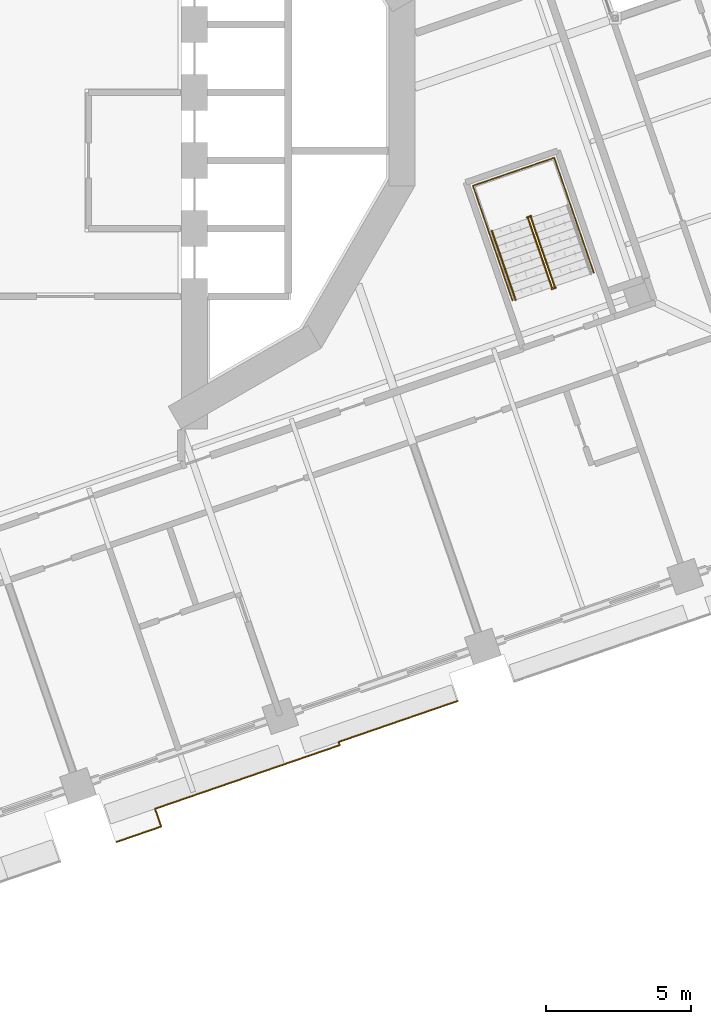
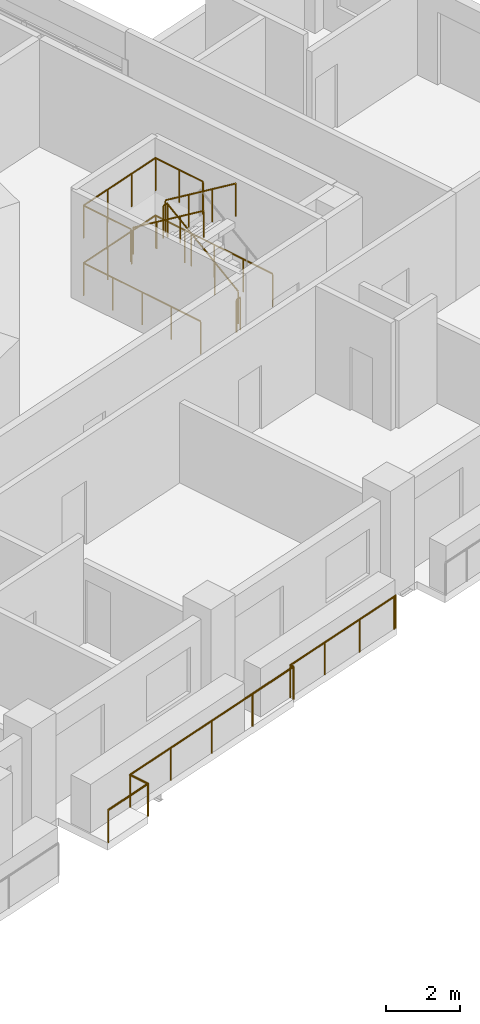
# One storey, part 16 of 19: 7 railings.
"""IFC4 building model written with IfcOpenShell, lengths in metres."""

from ifc_helpers import new_model, si_unit, direction, frame, origin, origin_2d, place, context, subcontext, project, spatial, circle, extrude, material, type_object, element, save


model = new_model("IFC4")

# Units and contexts
model_context = context("Model", 3, precision=1e-05, world=origin(), true_north=direction((0.0, 1.0)))
body_context = subcontext(model_context, "Body", "Model", "MODEL_VIEW")
ifc_project = project(units=[si_unit("LENGTHUNIT", "METRE"), si_unit("AREAUNIT", "SQUARE_METRE"), si_unit("VOLUMEUNIT", "CUBIC_METRE"), si_unit("PLANEANGLEUNIT", "RADIAN"), si_unit("MASSUNIT", "GRAM", prefix="KILO")], contexts=[model_context])

# Site, building, storey
site_placement = place(None, origin())
site = spatial("IfcSite", under=ifc_project, at=site_placement, CompositionType="ELEMENT")
building_placement = place(site_placement, origin())
building = spatial("IfcBuilding", under=site, at=building_placement, Name="Cantera Rosa Tower", CompositionType="ELEMENT")
storey_placement = place(building_placement, frame((0.0, 0.0, 126.89990234375)))
storey = spatial("IfcBuildingStorey", under=building, at=storey_placement, Name="L26", CompositionType="ELEMENT", Elevation=126.89990234375)

# Railings
ifc_material_1 = material(Name="Stainless steel and laminated glass", Category="steel")
railing_type_1 = type_object("IfcRailingType", Name="GUARD 1100", PredefinedType="BALUSTRADE", material=ifc_material_1)
railing_1_placement = place(storey_placement, frame((13.55615234375, -21.032470703125, 0.0)))
element("IfcRailing", 1, at=railing_1_placement, inside=storey, type_object=railing_type_1, Name="GUARD L26-8", PredefinedType="BALUSTRADE", context=body_context, shape_type="SweptSolid", body=[
    extrude(circle(Radius=0.030029296875, at=origin_2d()), frame((0.0, 0.0, 1.070068359375), z_axis=(-0.946220044844, -0.323523765333, 0.0), x_axis=(0.323523765333, -0.946220044844, 0.0)), (0.0, 0.0, 1.0), 0.070068359375),
    extrude(circle(Radius=0.030029296875, at=origin_2d()), frame((-0.06640625, -0.022705078125, 1.070068359375), z_axis=(-0.945512264962, -0.325586481301, 0.0), x_axis=(0.325586481301, -0.945512264962, 0.0)), (0.0, 0.0, 1.0), 4.28173828125),
    extrude(circle(Radius=0.030029296875, at=origin_2d()), frame((-4.11474609375, -1.416748046875, 1.070068359375), z_axis=(0.326117900523, -0.945329104047, 0.0), x_axis=(0.945329104047, 0.326117900523, 0.0)), (0.0, 0.0, 1.0), 0.1181640625),
    extrude(circle(Radius=0.030029296875, at=origin_2d()), frame((-4.076171875, -1.528564453125, 1.070068359375), z_axis=(-0.945519334272, -0.325565951103, 0.0), x_axis=(0.325565951103, -0.945519334272, 0.0)), (0.0, 0.0, 1.0), 6.749755859375),
    extrude(circle(Radius=0.030029296875, at=origin_2d()), frame((-10.458251953125, -3.72607421875, 1.070068359375), z_axis=(0.32578247151, -0.945444753149, 0.0), x_axis=(0.945444753149, 0.32578247151, 0.0)), (0.0, 0.0, 1.0), 0.650390625),
    extrude(circle(Radius=0.030029296875, at=origin_2d()), frame((-10.246337890625, -4.341064453125, 1.070068359375), z_axis=(-0.945523301181, -0.325554430047, 0.0), x_axis=(0.325554430047, -0.945523301181, 0.0)), (0.0, 0.0, 1.0), 1.638671875),
    extrude(circle(Radius=0.02490234375, at=origin_2d()), origin(), (0.0, 0.0, 1.0), 1.0400390625),
    extrude(circle(Radius=0.02490234375, at=origin_2d()), frame((-0.06640625, -0.022705078125, 0.0)), (0.0, 0.0, 1.0), 1.0400390625),
    extrude(circle(Radius=0.02490234375, at=origin_2d()), frame((-1.415771484375, -0.4873046875, 0.0)), (0.0, 0.0, 1.0), 1.0400390625),
    extrude(circle(Radius=0.02490234375, at=origin_2d()), frame((-2.765380859375, -0.9521484375, 0.0)), (0.0, 0.0, 1.0), 1.0400390625),
    extrude(circle(Radius=0.02490234375, at=origin_2d()), frame((-4.11474609375, -1.416748046875, 0.0)), (0.0, 0.0, 1.0), 1.0400390625),
    extrude(circle(Radius=0.02490234375, at=origin_2d()), frame((-4.076171875, -1.528564453125, 0.0)), (0.0, 0.0, 1.0), 1.0400390625),
    extrude(circle(Radius=0.02490234375, at=origin_2d()), frame((-5.671630859375, -2.077880859375, 0.0)), (0.0, 0.0, 1.0), 1.0400390625),
    extrude(circle(Radius=0.02490234375, at=origin_2d()), frame((-7.26708984375, -2.62744140625, 0.0)), (0.0, 0.0, 1.0), 1.0400390625),
    extrude(circle(Radius=0.02490234375, at=origin_2d()), frame((-8.86279296875, -3.1767578125, 0.0)), (0.0, 0.0, 1.0), 1.0400390625),
    extrude(circle(Radius=0.02490234375, at=origin_2d()), frame((-10.458251953125, -3.72607421875, 0.0)), (0.0, 0.0, 1.0), 1.0400390625),
    extrude(circle(Radius=0.02490234375, at=origin_2d()), frame((-10.246337890625, -4.341064453125, 0.0)), (0.0, 0.0, 1.0), 1.0400390625),
    extrude(circle(Radius=0.02490234375, at=origin_2d()), frame((-11.795654296875, -4.87451171875, 0.0)), (0.0, 0.0, 1.0), 1.0400390625),
])
ifc_material_2 = material(Name="Steel S355J2 (EN 10025-2)", Category="steel")
railing_type_2 = type_object("IfcRailingType", Name="STAIR GUARD 1100", PredefinedType="GUARDRAIL", material=ifc_material_2)
railing_2_placement = place(storey_placement, frame((16.902099609375, -6.707763671875, 0.190185546875)))
element("IfcRailing", 2, at=railing_2_placement, inside=storey, type_object=railing_type_2, Name="L26 ST-23 stair guard 1", PredefinedType="GUARDRAIL", context=body_context, shape_type="SweptSolid", body=[
    extrude(circle(Radius=0.02392578125, at=origin_2d()), frame((0.0, 0.0, 1.076171875), z_axis=(-0.269358070891, 0.782421063063, 0.561483312059), x_axis=(-0.945537585866, -0.325512939397, 0.0)), (0.0, 0.0, 1.0), 3.04541015625),
    extrude(circle(Radius=0.02392578125, at=origin_2d()), frame((-0.8203125, 2.3828125, 2.7861328125), z_axis=(0.147491890402, 0.989063265047, 0.0), x_axis=(-0.989063265047, 0.147491890402, 0.0)), (0.0, 0.0, 1.0), 0.056396484375),
    extrude(circle(Radius=0.02392578125, at=origin_2d()), frame((-0.81201171875, 2.4384765625, 2.7861328125), z_axis=(-0.945545797087, -0.325489086777, 0.0), x_axis=(0.325489086777, -0.945545797087, 0.0)), (0.0, 0.0, 1.0), 0.14990234375),
    extrude(circle(Radius=0.02099609375, at=origin_2d()), origin(), (0.0, 0.0, 1.0), 1.052001953125),
    extrude(circle(Radius=0.02099609375, at=origin_2d()), frame((-0.2734375, 0.794189453125, 0.570068359375)), (0.0, 0.0, 1.0), 1.052001953125),
    extrude(circle(Radius=0.02099609375, at=origin_2d()), frame((-0.546875, 1.588623046875, 1.139892578125)), (0.0, 0.0, 1.0), 1.052001953125),
    extrude(circle(Radius=0.02099609375, at=origin_2d()), frame((-0.8203125, 2.3828125, 1.7099609375)), (0.0, 0.0, 1.0), 1.052001953125),
    extrude(circle(Radius=0.02099609375, at=origin_2d()), frame((-0.81201171875, 2.4384765625, 1.7099609375)), (0.0, 0.0, 1.0), 1.052001953125),
    extrude(circle(Radius=0.02099609375, at=origin_2d()), frame((-0.953857421875, 2.3896484375, 1.7099609375)), (0.0, 0.0, 1.0), 1.052001953125),
])
railing_3_placement = place(storey_placement, frame((15.989013671875, -4.35693359375, 2.090087890625)))
element("IfcRailing", 3, at=railing_3_placement, inside=storey, type_object=railing_type_2, Name="L26 ST-23 stair guard 2", PredefinedType="GUARDRAIL", context=body_context, shape_type="SweptSolid", body=[
    extrude(circle(Radius=0.02392578125, at=origin_2d()), frame((0.0, 0.0, 1.076171875), z_axis=(0.269432418223, -0.782404165978, 0.561471186323), x_axis=(0.94550776501, 0.325599548996, 0.0)), (0.0, 0.0, 1.0), 3.04541015625),
    extrude(circle(Radius=0.02099609375, at=origin_2d()), origin(), (0.0, 0.0, 1.0), 1.052001953125),
    extrude(circle(Radius=0.02099609375, at=origin_2d()), frame((0.2734375, -0.794189453125, 0.570068359375)), (0.0, 0.0, 1.0), 1.052001953125),
    extrude(circle(Radius=0.02099609375, at=origin_2d()), frame((0.547119140625, -1.588623046875, 1.139892578125)), (0.0, 0.0, 1.0), 1.052001953125),
    extrude(circle(Radius=0.02099609375, at=origin_2d()), frame((0.820556640625, -2.3828125, 1.7099609375)), (0.0, 0.0, 1.0), 1.052001953125),
])
railing_4_placement = place(storey_placement, frame((16.94287109375, -6.74658203125, 0.0)))
element("IfcRailing", 4, at=railing_4_placement, inside=storey, type_object=railing_type_2, Name="L26 ST-23 stair guard 3", PredefinedType="GUARDRAIL", context=body_context, shape_type="SweptSolid", body=[
    extrude(circle(Radius=0.02392578125, at=origin_2d()), frame((0.0, 0.0, 1.076171875), z_axis=(-0.945372981626, -0.325990683319, 0.0), x_axis=(0.325990683319, -0.945372981626, 0.0)), (0.0, 0.0, 1.0), 0.14990234375),
    extrude(circle(Radius=0.02099609375, at=origin_2d()), origin(), (0.0, 0.0, 1.0), 1.052001953125),
    extrude(circle(Radius=0.02099609375, at=origin_2d()), frame((-0.1416015625, -0.048828125, 0.0)), (0.0, 0.0, 1.0), 1.052001953125),
])
railing_5_placement = place(storey_placement, frame((18.256103515625, -6.22900390625, 0.0)))
element("IfcRailing", 5, at=railing_5_placement, inside=storey, type_object=railing_type_2, Name="L26 ST-23 stair guard 4", PredefinedType="GUARDRAIL", context=body_context, shape_type="SweptSolid", body=[
    extrude(circle(Radius=0.02392578125, at=origin_2d()), frame((0.0, 0.0, 1.076171875), z_axis=(-0.3255981694, 0.945508240093, 0.0), x_axis=(-0.945508240093, -0.3255981694, 0.0)), (0.0, 0.0, 1.0), 4.1982421875),
    extrude(circle(Radius=0.02392578125, at=origin_2d()), frame((-1.366943359375, 3.969482421875, 1.076171875), z_axis=(-0.945504814226, -0.325608117645, 0.0), x_axis=(0.325608117645, -0.945504814226, 0.0)), (0.0, 0.0, 1.0), 2.969970703125),
    extrude(circle(Radius=0.02392578125, at=origin_2d()), frame((-4.175048828125, 3.00244140625, 1.076171875), z_axis=(0.325564081496, -0.945519978022, 0.0), x_axis=(0.945519978022, 0.325564081496, 0.0)), (0.0, 0.0, 1.0), 4.197998046875),
    extrude(circle(Radius=0.02099609375, at=origin_2d()), origin(), (0.0, 0.0, 1.0), 1.052001953125),
    extrude(circle(Radius=0.02099609375, at=origin_2d()), frame((-0.341796875, 0.992431640625, 0.0)), (0.0, 0.0, 1.0), 1.052001953125),
    extrude(circle(Radius=0.02099609375, at=origin_2d()), frame((-0.68359375, 1.98486328125, 0.0)), (0.0, 0.0, 1.0), 1.052001953125),
    extrude(circle(Radius=0.02099609375, at=origin_2d()), frame((-1.025146484375, 2.97705078125, 0.0)), (0.0, 0.0, 1.0), 1.052001953125),
    extrude(circle(Radius=0.02099609375, at=origin_2d()), frame((-1.366943359375, 3.969482421875, 0.0)), (0.0, 0.0, 1.0), 1.052001953125),
    extrude(circle(Radius=0.02099609375, at=origin_2d()), frame((-2.302978515625, 3.647216796875, 0.0)), (0.0, 0.0, 1.0), 1.052001953125),
    extrude(circle(Radius=0.02099609375, at=origin_2d()), frame((-3.239013671875, 3.32470703125, 0.0)), (0.0, 0.0, 1.0), 1.052001953125),
    extrude(circle(Radius=0.02099609375, at=origin_2d()), frame((-4.175048828125, 3.00244140625, 0.0)), (0.0, 0.0, 1.0), 1.052001953125),
    extrude(circle(Radius=0.02099609375, at=origin_2d()), frame((-3.83349609375, 2.01025390625, 0.0)), (0.0, 0.0, 1.0), 1.052001953125),
    extrude(circle(Radius=0.02099609375, at=origin_2d()), frame((-3.49169921875, 1.017822265625, 0.0)), (0.0, 0.0, 1.0), 1.052001953125),
    extrude(circle(Radius=0.02099609375, at=origin_2d()), frame((-3.14990234375, 0.025390625, 0.0)), (0.0, 0.0, 1.0), 1.052001953125),
    extrude(circle(Radius=0.02099609375, at=origin_2d()), frame((-2.808349609375, -0.966796875, 0.0)), (0.0, 0.0, 1.0), 1.052001953125),
])
railing_6_placement = place(storey_placement, frame((17.443359375, -3.868896484375, 1.900146484375)))
element("IfcRailing", 6, at=railing_6_placement, inside=storey, type_object=railing_type_2, Name="L26 ST-23 stair guard 5", PredefinedType="GUARDRAIL", context=body_context, shape_type="SweptSolid", body=[
    extrude(circle(Radius=0.02392578125, at=origin_2d()), frame((0.0, 0.0, 1.076171875), z_axis=(-0.32559282233, 0.94551008141, 0.0), x_axis=(-0.94551008141, -0.32559282233, 0.0)), (0.0, 0.0, 1.0), 1.7021484375),
    extrude(circle(Radius=0.02392578125, at=origin_2d()), frame((-0.55419921875, 1.609375, 1.076171875), z_axis=(-0.945504814226, -0.325608117645, 0.0), x_axis=(0.325608117645, -0.945504814226, 0.0)), (0.0, 0.0, 1.0), 2.969970703125),
    extrude(circle(Radius=0.02392578125, at=origin_2d()), frame((-3.3623046875, 0.642333984375, 1.076171875), z_axis=(0.32559282233, -0.94551008141, 0.0), x_axis=(0.94551008141, 0.32559282233, 0.0)), (0.0, 0.0, 1.0), 1.7021484375),
    extrude(circle(Radius=0.02099609375, at=origin_2d()), origin(), (0.0, 0.0, 1.0), 1.052001953125),
    extrude(circle(Radius=0.02099609375, at=origin_2d()), frame((-0.277099609375, 0.8046875, 0.0)), (0.0, 0.0, 1.0), 1.052001953125),
    extrude(circle(Radius=0.02099609375, at=origin_2d()), frame((-0.55419921875, 1.609375, 0.0)), (0.0, 0.0, 1.0), 1.052001953125),
    extrude(circle(Radius=0.02099609375, at=origin_2d()), frame((-1.490234375, 1.287109375, 0.0)), (0.0, 0.0, 1.0), 1.052001953125),
    extrude(circle(Radius=0.02099609375, at=origin_2d()), frame((-2.42626953125, 0.964599609375, 0.0)), (0.0, 0.0, 1.0), 1.052001953125),
    extrude(circle(Radius=0.02099609375, at=origin_2d()), frame((-3.3623046875, 0.642333984375, 0.0)), (0.0, 0.0, 1.0), 1.052001953125),
    extrude(circle(Radius=0.02099609375, at=origin_2d()), frame((-3.085205078125, -0.162353515625, 0.0)), (0.0, 0.0, 1.0), 1.052001953125),
    extrude(circle(Radius=0.02099609375, at=origin_2d()), frame((-2.80810546875, -0.967041015625, 0.0)), (0.0, 0.0, 1.0), 1.052001953125),
])
ifc_material_3 = material(Name="Steel S355J2 (EN 10025-2)", Category="steel")
railing_type_3 = type_object("IfcRailingType", Name="STAIR HANDRAIL 900", PredefinedType="HANDRAIL", material=ifc_material_3)
railing_7_placement = place(storey_placement, frame((14.7353515625, -4.78857421875, 2.090087890625)))
element("IfcRailing", 7, at=railing_7_placement, inside=storey, type_object=railing_type_3, Name="L26 ST-23 stair handrail 2", PredefinedType="HANDRAIL", context=body_context, shape_type="SweptSolid", body=[
    extrude(circle(Radius=0.02392578125, at=origin_2d()), frame((0.0, 0.0, 0.8759765625), z_axis=(0.269358070891, -0.782421063063, 0.561483312059), x_axis=(0.945537585866, 0.325512939397, 0.0)), (0.0, 0.0, 1.0), 3.04541015625),
    extrude(circle(Radius=0.02099609375, at=origin_2d()), origin(), (0.0, 0.0, 1.0), 0.851806640625),
    extrude(circle(Radius=0.02099609375, at=origin_2d()), frame((0.2734375, -0.794189453125, 0.570068359375)), (0.0, 0.0, 1.0), 0.851806640625),
    extrude(circle(Radius=0.02099609375, at=origin_2d()), frame((0.546875, -1.588623046875, 1.139892578125)), (0.0, 0.0, 1.0), 0.851806640625),
    extrude(circle(Radius=0.02099609375, at=origin_2d()), frame((0.8203125, -2.3828125, 1.7099609375)), (0.0, 0.0, 1.0), 0.851806640625),
])

save(model, "model.ifc")
